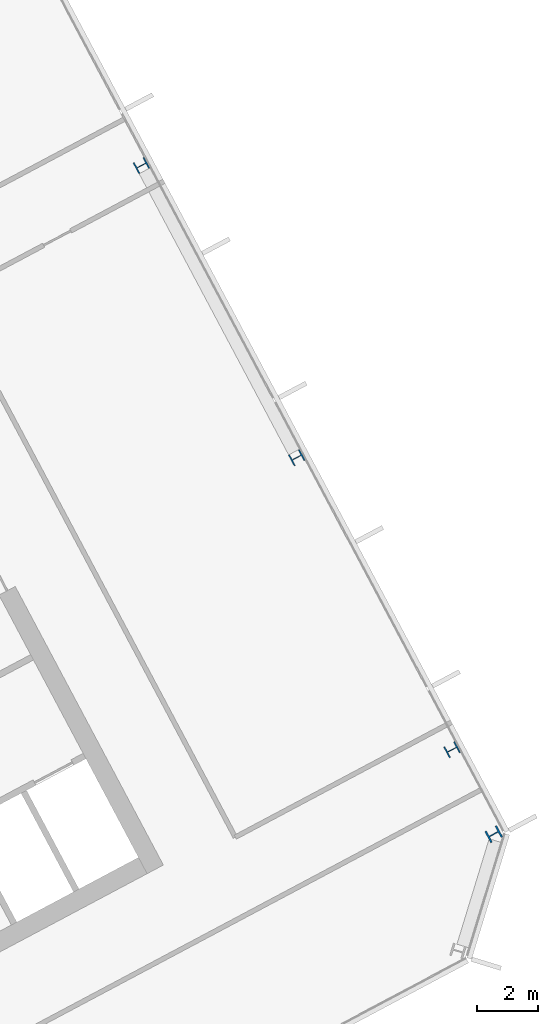
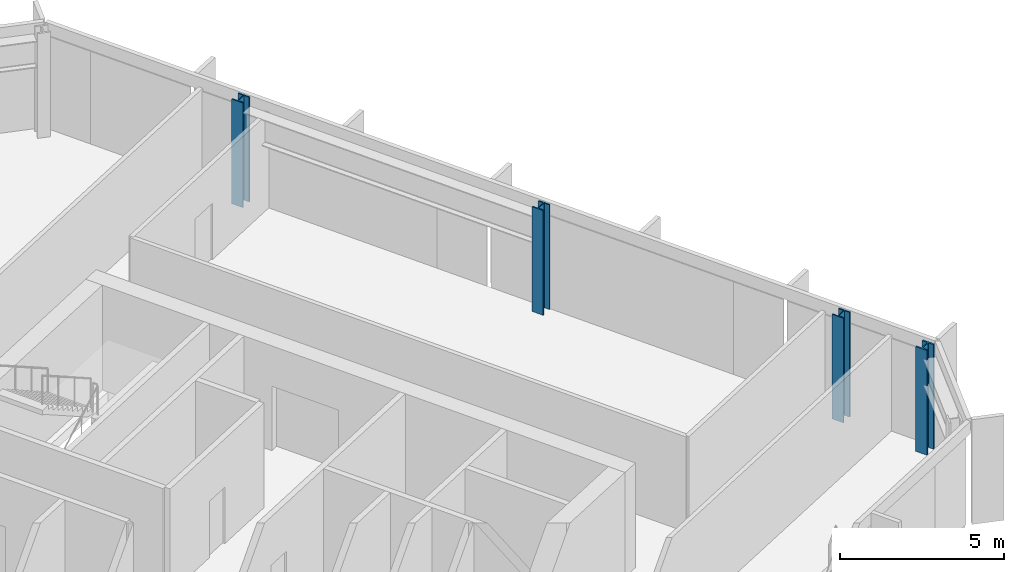
# One storey, part 7 of 27: 4 columns.
"""IFC4 building model written with IfcOpenShell, lengths in metres."""

from ifc_helpers import new_model, si_unit, direction, frame, origin, origin_2d, place, context, subcontext, project, spatial, i_section, extrude, material, material_profile, profile_set, type_object, element, save


model = new_model("IFC4")

# Units and contexts
model_context = context("Model", 3, precision=1e-05, world=origin(), true_north=direction((0.0, 1.0)))
body_context = subcontext(model_context, "Body", "Model", "MODEL_VIEW")
ifc_project = project(units=[si_unit("LENGTHUNIT", "METRE"), si_unit("AREAUNIT", "SQUARE_METRE"), si_unit("VOLUMEUNIT", "CUBIC_METRE"), si_unit("PLANEANGLEUNIT", "RADIAN"), si_unit("MASSUNIT", "GRAM", prefix="KILO")], contexts=[model_context])

# Site, building, storey
site_placement = place(None, origin())
site = spatial("IfcSite", under=ifc_project, at=site_placement, CompositionType="ELEMENT")
building_placement = place(site_placement, origin())
building = spatial("IfcBuilding", under=site, at=building_placement, Name="Cormorant Relay Tower", CompositionType="ELEMENT")
storey_placement = place(building_placement, frame((0.0, 0.0, 209.10009765625)))
storey = spatial("IfcBuildingStorey", under=building, at=storey_placement, Name="L45", CompositionType="ELEMENT", Elevation=209.10009765625)

# Columns
ifc_material_1 = material(Name="Steel ASTM A992 (Fy 345 MPa)", Category="steel")
ifc_material_profile_1 = material_profile(ifc_material_1, i_section(OverallWidth=0.40380859375, OverallDepth=0.406494140625, WebThickness=0.027099609375, FlangeThickness=0.043701171875, FilletRadius=0.01513671875, at=origin_2d()), Name="W360x347")
ifc_profile_set_1 = profile_set([ifc_material_profile_1], Name="Steel ASTM A992 (Fy 345 MPa)")
column_type_1 = type_object("IfcColumnType", Name="Column W360x347", PredefinedType="COLUMN", material=ifc_profile_set_1)
for number, where, z_axis, x_axis, name in (
    (1, (47.26611328125, 12.89990234375, 0.0), (0.0, 0.0, 1.0), (-0.469471562786, 0.882947592859, 0.0), "Column L45-026"),
    (2, (42.196044921875, 22.43603515625, 0.0), (0.0, 0.0, 1.0), (-0.469471562786, 0.882947592859, 0.0), "Column L45-029"),
    (3, (37.1259765625, 31.971923828125, 0.0), (0.0, 0.0, 1.0), (-0.469471562786, 0.882947592859, 0.0), "Column L45-036"),
):
    element("IfcColumn", number, at=place(storey_placement, frame(where, z_axis=z_axis, x_axis=x_axis)), inside=storey, type_object=column_type_1, Name=name, PredefinedType="COLUMN", context=body_context, shape_type="SweptSolid", body=[
        extrude(i_section(OverallWidth=0.40380859375, OverallDepth=0.406494140625, WebThickness=0.027099609375, FlangeThickness=0.043701171875, FilletRadius=0.01513671875, at=origin_2d()), origin(), (0.0, 0.0, 1.0), 3.89990234375),
    ])
ifc_material_2 = material(Name="Steel ASTM A992 (Fy 345 MPa)", Category="steel")
ifc_material_profile_2 = material_profile(ifc_material_2, i_section(OverallWidth=0.41162109375, OverallDepth=0.434326171875, WebThickness=0.035888671875, FlangeThickness=0.057373046875, FilletRadius=0.01513671875, at=origin_2d()), Name="W360x463")
ifc_profile_set_2 = profile_set([ifc_material_profile_2], Name="Steel ASTM A992 (Fy 345 MPa)")
column_type_2 = type_object("IfcColumnType", Name="Column W360x463", PredefinedType="COLUMN", material=ifc_profile_set_2)
column_placement = place(storey_placement, frame((48.6259765625, 10.14208984375, 0.0), z_axis=(0.0, 0.0, 1.0), x_axis=(-0.469471562786, 0.882947592859, 0.0)))
element("IfcColumn", 4, at=column_placement, inside=storey, type_object=column_type_2, Name="Column L45-021", PredefinedType="COLUMN", context=body_context, shape_type="SweptSolid", body=[
    extrude(i_section(OverallWidth=0.41162109375, OverallDepth=0.434326171875, WebThickness=0.035888671875, FlangeThickness=0.057373046875, FilletRadius=0.01513671875, at=origin_2d()), origin(), (0.0, 0.0, 1.0), 3.89990234375),
])

save(model, "model.ifc")
